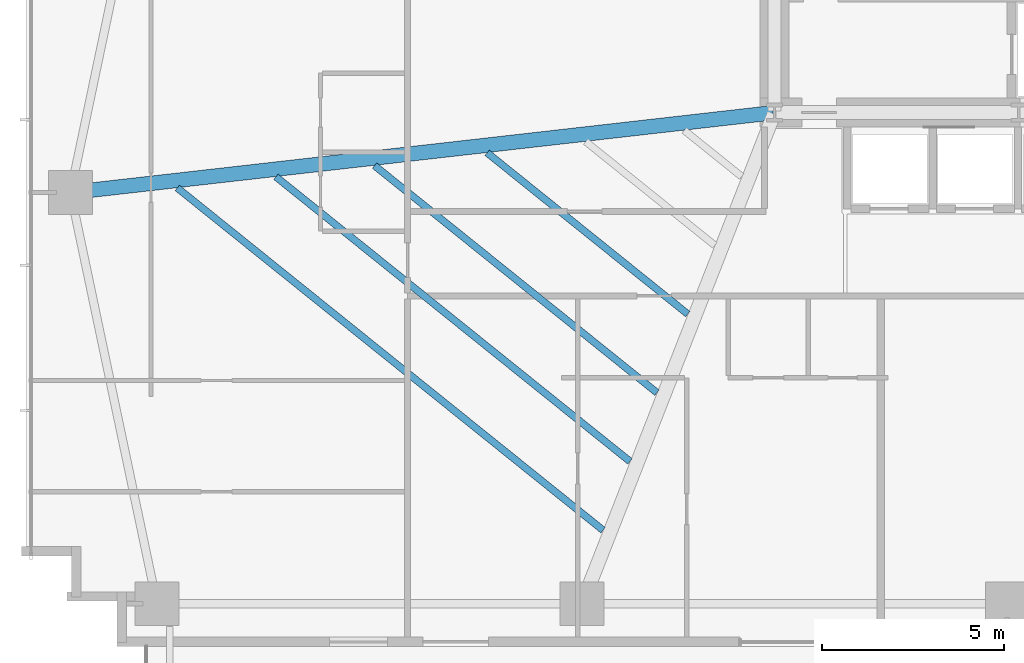
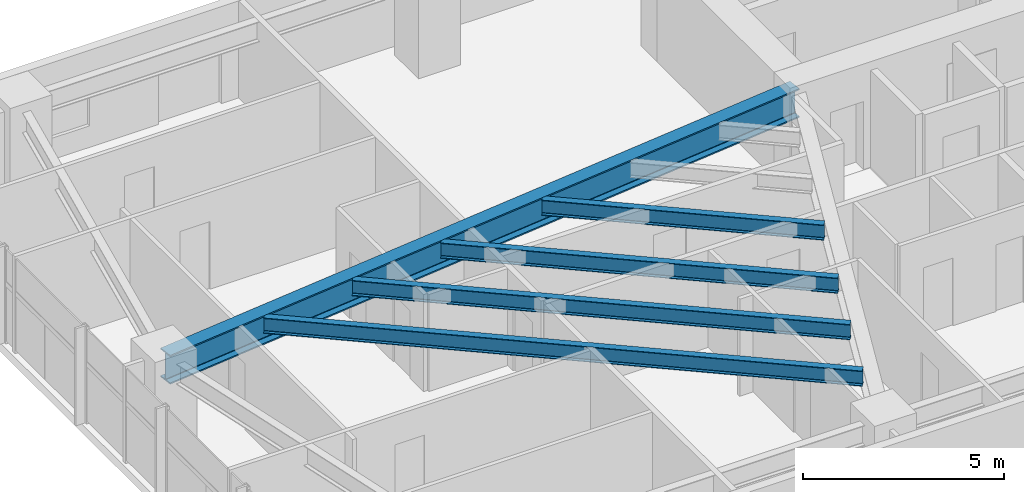
# One storey, part 5 of 25: 5 beams.
"""IFC4 building model written with IfcOpenShell, lengths in metres."""

from ifc_helpers import new_model, si_unit, direction, frame, origin, origin_2d, place, context, subcontext, project, spatial, i_section, extrude, source, transform, mapped, material, material_profile, profile_set, type_object, type_shapes, element, save


model = new_model("IFC4")

# Units and contexts
model_context = context("Model", 3, precision=1e-05, world=origin(), true_north=direction((0.0, 1.0)))
body_context = subcontext(model_context, "Body", "Model", "MODEL_VIEW")
ifc_project = project(units=[si_unit("LENGTHUNIT", "METRE"), si_unit("AREAUNIT", "SQUARE_METRE"), si_unit("VOLUMEUNIT", "CUBIC_METRE"), si_unit("PLANEANGLEUNIT", "RADIAN"), si_unit("MASSUNIT", "GRAM", prefix="KILO")], contexts=[model_context])

# Site, building, storey
site_placement = place(None, origin())
site = spatial("IfcSite", under=ifc_project, at=site_placement, CompositionType="ELEMENT")
building_placement = place(site_placement, origin())
building = spatial("IfcBuilding", under=site, at=building_placement, Name="Astriad Promenade Condominiums", CompositionType="ELEMENT")
storey_placement = place(building_placement, frame((0.0, 0.0, 55.0)))
storey = spatial("IfcBuildingStorey", under=building, at=storey_placement, Name="L15", CompositionType="ELEMENT", Elevation=55.0)

# Beams
ifc_material = material(Name="Steel ASTM A992 Grade 50", Category="steel")
ifc_material_profile_1 = material_profile(ifc_material, i_section(OverallWidth=0.4013671875, OverallDepth=0.877197265625, WebThickness=0.022216796875, FlangeThickness=0.039794921875, FilletRadius=0.02294921875, at=origin_2d()), Name="W33X263")
ifc_profile_set_1 = profile_set([ifc_material_profile_1], Name="Steel ASTM A992 Grade 50")
beam_type_1 = type_object("IfcBeamType", Name="STEEL PRIMARY GIRDER W33X263", PredefinedType="BEAM", material=ifc_profile_set_1)
shared_shape_1 = source(origin(), body_context, "Body", "SweptSolid", [
    extrude(i_section(OverallWidth=0.4013671875, OverallDepth=0.877197265625, WebThickness=0.022216796875, FlangeThickness=0.039794921875, FilletRadius=0.02294921875, at=origin_2d()), origin(), (0.0, 0.0, 1.0), 19.424560546875),
])
type_shapes(beam_type_1, [shared_shape_1])
beam_1_placement = place(storey_placement, frame((7.059814453125, 15.20458984375, 2.50146484375), z_axis=(0.993618675315, 0.11279152479, 0.0), x_axis=(-0.11279152479, 0.993618675315, 0.0)))
element("IfcBeam", 1, at=beam_1_placement, inside=storey, type_object=beam_type_1, Name="Primary Floor Girder PG-WM-L15", PredefinedType="BEAM", context=body_context, shape_type="MappedRepresentation", body=[
    mapped(shared_shape_1, transform((0.0, 0.0, 0.0), scale=1.0)),
])
ifc_material_profile_2 = material_profile(ifc_material, i_section(OverallWidth=0.19287109375, OverallDepth=0.466064453125, WebThickness=0.011474609375, FlangeThickness=0.01904296875, FilletRadius=0.01513671875, at=origin_2d()), Name="W18X65")
ifc_profile_set_2 = profile_set([ifc_material_profile_2], Name="Steel ASTM A992 Grade 50")
beam_type_2 = type_object("IfcBeamType", Name="STEEL FLOOR JOIST W18X65", PredefinedType="JOIST", material=ifc_profile_set_2)
shared_shape_2 = source(origin(), body_context, "Body", "SweptSolid", [
    extrude(i_section(OverallWidth=0.19287109375, OverallDepth=0.466064453125, WebThickness=0.011474609375, FlangeThickness=0.01904296875, FilletRadius=0.01513671875, at=origin_2d()), origin(), (0.0, 0.0, 1.0), 15.033447265625),
])
beam_2_placement = place(storey_placement, frame((9.961181640625, 15.32470703125, 2.706787109375), z_axis=(0.779353434302, -0.626584570862, 0.0), x_axis=(0.626584570862, 0.779353434302, 0.0)))
element("IfcBeam", 2, at=beam_2_placement, inside=storey, type_object=beam_type_2, Name="Secondary Composite Floor Joist JW1-1-L15", PredefinedType="JOIST", context=body_context, shape_type="MappedRepresentation", body=[
    mapped(shared_shape_2, transform((0.0, 0.0, 0.0), scale=1.0)),
])
shared_shape_3 = source(origin(), body_context, "Body", "SweptSolid", [
    extrude(i_section(OverallWidth=0.19287109375, OverallDepth=0.466064453125, WebThickness=0.011474609375, FlangeThickness=0.01904296875, FilletRadius=0.01513671875, at=origin_2d()), origin(), (0.0, 0.0, 1.0), 12.50439453125),
])
beam_3_placement = place(storey_placement, frame((12.67431640625, 15.6328125, 2.706787109375), z_axis=(0.77935791062, -0.626579003122, 0.0), x_axis=(0.626579003122, 0.77935791062, 0.0)))
element("IfcBeam", 3, at=beam_3_placement, inside=storey, type_object=beam_type_2, Name="Secondary Composite Floor Joist JW1-2-L15", PredefinedType="JOIST", context=body_context, shape_type="MappedRepresentation", body=[
    mapped(shared_shape_3, transform((0.0, 0.0, 0.0), scale=1.0)),
])
shared_shape_4 = source(origin(), body_context, "Body", "SweptSolid", [
    extrude(i_section(OverallWidth=0.19287109375, OverallDepth=0.466064453125, WebThickness=0.011474609375, FlangeThickness=0.01904296875, FilletRadius=0.01513671875, at=origin_2d()), origin(), (0.0, 0.0, 1.0), 9.97509765625),
])
beam_4_placement = place(storey_placement, frame((15.387451171875, 15.94091796875, 2.706787109375), z_axis=(0.779355047887, -0.626582563859, 0.0), x_axis=(0.626582563859, 0.779355047887, 0.0)))
element("IfcBeam", 4, at=beam_4_placement, inside=storey, type_object=beam_type_2, Name="Secondary Composite Floor Joist JW1-3-L15", PredefinedType="JOIST", context=body_context, shape_type="MappedRepresentation", body=[
    mapped(shared_shape_4, transform((0.0, 0.0, 0.0), scale=1.0)),
])
shared_shape_5 = source(origin(), body_context, "Body", "SweptSolid", [
    extrude(i_section(OverallWidth=0.19287109375, OverallDepth=0.466064453125, WebThickness=0.011474609375, FlangeThickness=0.01904296875, FilletRadius=0.01513671875, at=origin_2d()), origin(), (0.0, 0.0, 1.0), 7.08447265625),
])
type_shapes(beam_type_2, [shared_shape_2, shared_shape_3, shared_shape_4, shared_shape_5])
beam_5_placement = place(storey_placement, frame((18.48828125, 16.292724609375, 2.706787109375), z_axis=(0.779353562297, -0.62658441166, 0.0), x_axis=(0.62658441166, 0.779353562297, 0.0)))
element("IfcBeam", 5, at=beam_5_placement, inside=storey, type_object=beam_type_2, Name="Secondary Composite Floor Joist JW1-4-L15", PredefinedType="JOIST", context=body_context, shape_type="MappedRepresentation", body=[
    mapped(shared_shape_5, transform((0.0, 0.0, 0.0), scale=1.0)),
])

save(model, "model.ifc")
